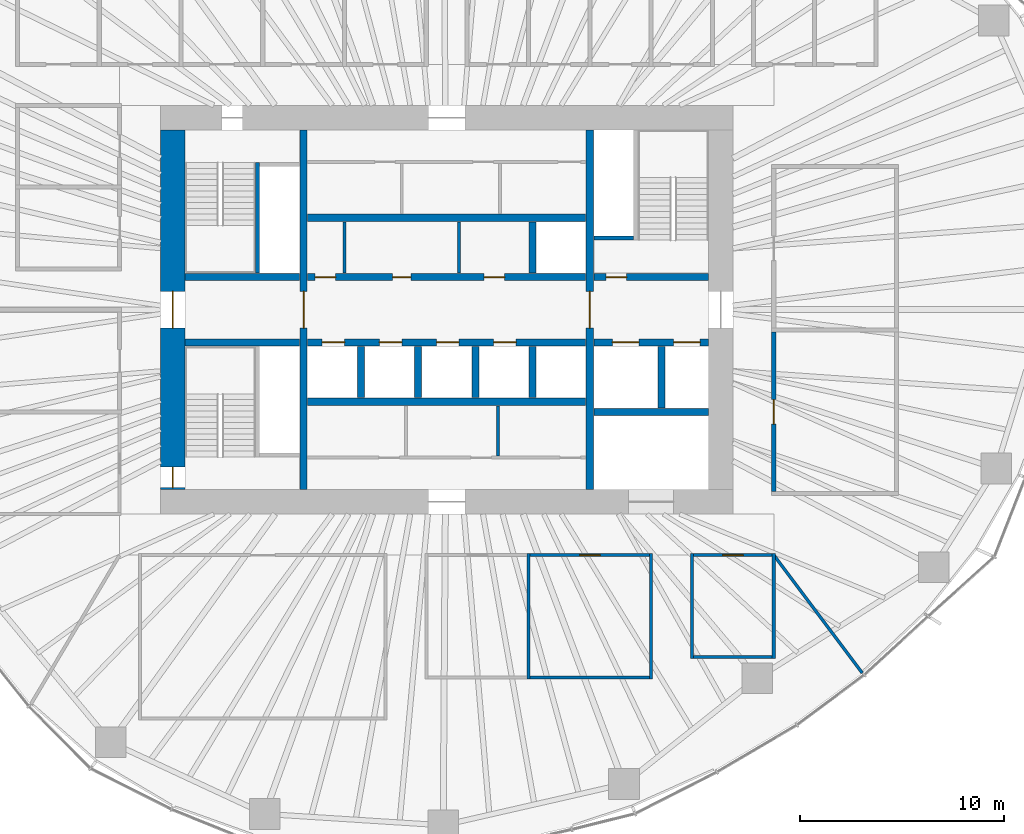
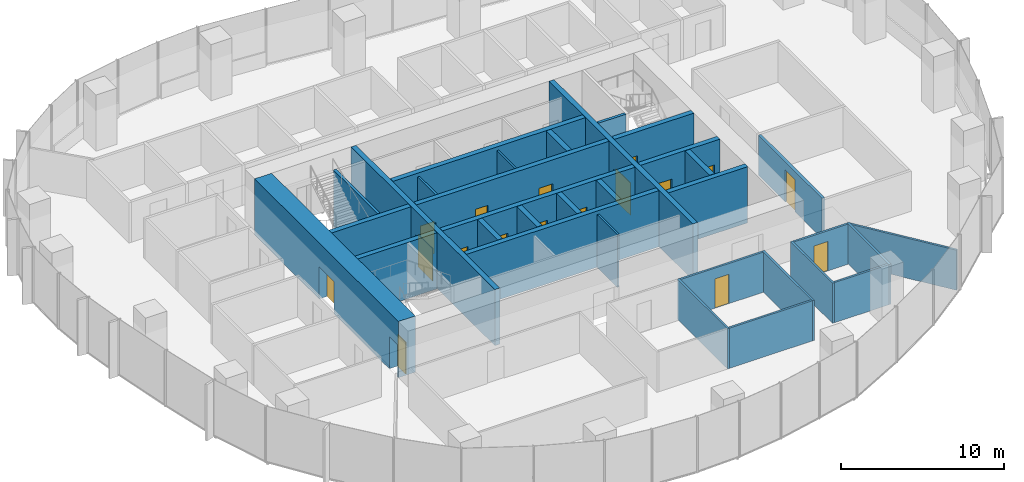
# One storey, part 9 of 18: 33 walls, 17 doors, 17 openings.
"""IFC4 building model written with IfcOpenShell, lengths in metres."""

from ifc_helpers import new_model, si_unit, direction, frame, frame_2d, origin, place, context, subcontext, project, spatial, rectangle, extrude, material, layer, layer_set, type_object, element, fill, save


model = new_model("IFC4")

# Units and contexts
model_context = context("Model", 3, precision=1e-05, world=origin(), true_north=direction((0.0, 1.0)))
body_context = subcontext(model_context, "Body", "Model", "MODEL_VIEW")
ifc_project = project(units=[si_unit("LENGTHUNIT", "METRE"), si_unit("AREAUNIT", "SQUARE_METRE"), si_unit("VOLUMEUNIT", "CUBIC_METRE"), si_unit("PLANEANGLEUNIT", "RADIAN"), si_unit("MASSUNIT", "GRAM", prefix="KILO")], contexts=[model_context])

# Site, building, storey
site_placement = place(None, origin())
site = spatial("IfcSite", under=ifc_project, at=site_placement, CompositionType="ELEMENT")
building_placement = place(site_placement, origin())
building = spatial("IfcBuilding", under=site, at=building_placement, Name="Ghaith Harvest Tower", CompositionType="ELEMENT")
storey_placement = place(building_placement, frame((0.0, 0.0, 142.800048828125)))
storey = spatial("IfcBuildingStorey", under=building, at=storey_placement, Name="L30", CompositionType="ELEMENT", Elevation=142.800048828125)

# Wall, opening, door
ifc_material_1 = material(Name="Twin-stud gypsum board, acoustic", Category="gypsum")
ifc_layer_1 = layer(ifc_material_1, 0.199951171875)
ifc_layer_set_1 = layer_set([ifc_layer_1], Name="ACOUSTIC PARTITION 200")
wall_type_1 = type_object("IfcWallType", Name="ACOUSTIC PARTITION 200", PredefinedType="PARTITIONING", material=ifc_layer_set_1)
wall_1_placement = place(storey_placement, frame((16.0, -8.89990234375, 0.0), z_axis=(0.0, 0.0, 1.0), x_axis=(0.0, 1.0, 0.0)))
wall_1 = element("IfcWall", 1, at=wall_1_placement, inside=storey, type_object=wall_type_1, Name="Partition L30-13", PredefinedType="PARTITIONING", context=body_context, shape_type="SweptSolid", body=[
    extrude(rectangle(XDim=7.7998046875, YDim=0.199951171875, at=frame_2d((3.89990234375, 0.0))), origin(), (0.0, 0.0, 1.0), 3.0),
])
opening_1_placement = place(wall_1_placement, frame((3.300048828125, 0.0, 0.0)))
opening_1 = element("IfcOpeningElement", 2, at=opening_1_placement, cuts=wall_1, Name="Opening 30-038", PredefinedType="OPENING", context=body_context, shape_type="SweptSolid", body=[
    extrude(rectangle(XDim=1.199951171875, YDim=2.39990234375, at=frame_2d((0.60009765625, 1.199951171875))), frame((0.0, 0.10986328125, 0.0), z_axis=(0.0, -1.0, 0.0), x_axis=(1.0, 0.0, 0.0)), (0.0, 0.0, 1.0), 0.219970703125),
])
ifc_material_2 = material(Name="Timber door", Category="wood")
door_type_1 = type_object("IfcDoorType", Name="D11 GLAZED 1200x2400", OperationType="SINGLE_SWING_LEFT", PredefinedType="DOOR", material=ifc_material_2)
door_1_placement = place(opening_1_placement, origin())
door_1 = element("IfcDoor", 3, at=door_1_placement, inside=storey, type_object=door_type_1, Name="Meeting room door", OperationType="SINGLE_SWING_LEFT", OverallHeight=2.39990234375, OverallWidth=1.199951171875, PredefinedType="DOOR", context=body_context, shape_type="SweptSolid", body=[
    extrude(rectangle(XDim=1.199951171875, YDim=2.39990234375, at=frame_2d((0.60009765625, 1.199951171875))), frame((0.0, 0.02490234375, 0.0), z_axis=(0.0, -1.0, 0.0), x_axis=(1.0, 0.0, 0.0)), (0.0, 0.0, 1.0), 0.050048828125),
])
fill(opening_1, door_1)

# Walls
ifc_material_3 = material(Name="Concrete blockwork, fair-faced", Category="masonry")
ifc_layer_2 = layer(ifc_material_3, 0.139892578125)
ifc_layer_set_2 = layer_set([ifc_layer_2], Name="CORE PARTITION 140")
wall_type_2 = type_object("IfcWallType", Name="CORE PARTITION 140", PredefinedType="PARTITIONING", material=ifc_layer_set_2)
wall_2_placement = place(storey_placement, frame((2.5, -4.699951171875, 0.0), z_axis=(0.0, 0.0, 1.0), x_axis=(0.0, -1.0, 0.0)))
element("IfcWall", 4, at=wall_2_placement, inside=storey, type_object=wall_type_2, Name="Core partition L30", PredefinedType="PARTITIONING", context=body_context, shape_type="SweptSolid", body=[
    extrude(rectangle(XDim=2.4599609375, YDim=0.139892578125, at=frame_2d((1.22998046875, 0.0))), origin(), (0.0, 0.0, 1.0), 3.949951171875),
])
for number, where, z_axis, x_axis, name in (
    (5, (-5.0, 1.800048828125, 0.0), (0.0, 0.0, 1.0), (0.0, 1.0, 0.0), "Core partition L30"),
    (6, (0.60009765625, 1.800048828125, 0.0), (0.0, 0.0, 1.0), (0.0, 1.0, 0.0), "Core partition L30"),
):
    element("IfcWall", number, at=place(storey_placement, frame(where, z_axis=z_axis, x_axis=x_axis)), inside=storey, type_object=wall_type_2, Name=name, PredefinedType="PARTITIONING", context=body_context, shape_type="SweptSolid", body=[
        extrude(rectangle(XDim=2.5, YDim=0.139892578125, at=frame_2d((1.25, 0.0))), origin(), (0.0, 0.0, 1.0), 3.949951171875),
    ])

# Wall, openings, doors
ifc_material_4 = material(Name="Concrete C60/75", Category="concrete")
ifc_layer_3 = layer(ifc_material_4, 1.199951171875)
ifc_layer_set_3 = layer_set([ifc_layer_3], Name="CORE WALL CW1200 C60")
wall_type_3 = type_object("IfcWallType", Name="CORE WALL CW1200 C60", PredefinedType="SHEAR", material=ifc_layer_set_3)
wall_3_placement = place(storey_placement, frame((-13.39990234375, 8.800048828125, 0.0), z_axis=(0.0, 0.0, 1.0), x_axis=(0.0, -1.0, 0.0)))
wall_3 = element("IfcWall", 7, at=wall_3_placement, inside=storey, type_object=wall_type_3, Name="Core wall W L30", PredefinedType="SHEAR", context=body_context, shape_type="SweptSolid", body=[
    extrude(rectangle(XDim=17.60009765625, YDim=1.199951171875, at=frame_2d((8.800048828125, 0.0))), origin(), (0.0, 0.0, 1.0), 4.199951171875),
])
opening_2_placement = place(wall_3_placement, frame((7.89990234375, 0.0, 0.0)))
opening_2 = element("IfcOpeningElement", 8, at=opening_2_placement, cuts=wall_3, Name="Opening 30-001", PredefinedType="OPENING", context=body_context, shape_type="SweptSolid", body=[
    extrude(rectangle(XDim=1.800048828125, YDim=2.39990234375, at=frame_2d((0.89990234375, 1.199951171875))), frame((0.0, 0.60986328125, 0.0), z_axis=(0.0, -1.0, 0.0), x_axis=(1.0, 0.0, 0.0)), (0.0, 0.0, 1.0), 1.219970703125),
])
opening_3_placement = place(wall_3_placement, frame((16.5, 0.0, 0.0)))
opening_3 = element("IfcOpeningElement", 9, at=opening_3_placement, cuts=wall_3, Name="Opening 30-006", PredefinedType="OPENING", context=body_context, shape_type="SweptSolid", body=[
    extrude(rectangle(XDim=1.0, YDim=2.39990234375, at=frame_2d((0.5, 1.199951171875))), frame((0.0, 0.60986328125, 0.0), z_axis=(0.0, -1.0, 0.0), x_axis=(1.0, 0.0, 0.0)), (0.0, 0.0, 1.0), 1.219970703125),
])
ifc_material_5 = material(Name="Steel fire door", Category="steel")
door_type_2 = type_object("IfcDoorType", Name="D3 FD90 1000x2400", OperationType="SINGLE_SWING_LEFT", PredefinedType="DOOR", material=ifc_material_5)
door_2_placement = place(opening_3_placement, origin())
door_2 = element("IfcDoor", 10, at=door_2_placement, inside=storey, type_object=door_type_2, Name="Stair ST3 door", OperationType="SINGLE_SWING_RIGHT", OverallHeight=2.39990234375, OverallWidth=1.0, PredefinedType="DOOR", context=body_context, shape_type="SweptSolid", body=[
    extrude(rectangle(XDim=1.0, YDim=2.39990234375, at=frame_2d((0.5, 1.199951171875))), frame((0.0, 0.02490234375, 0.0), z_axis=(0.0, -1.0, 0.0), x_axis=(1.0, 0.0, 0.0)), (0.0, 0.0, 1.0), 0.050048828125),
])
fill(opening_3, door_2)
ifc_material_6 = material(Name="Steel fire door", Category="steel")
door_type_3 = type_object("IfcDoorType", Name="D4 FD90 PAIR 1800x2400", OperationType="DOUBLE_DOOR_SINGLE_SWING", PredefinedType="DOOR", material=ifc_material_6)
door_3_placement = place(opening_2_placement, origin())
door_3 = element("IfcDoor", 11, at=door_3_placement, inside=storey, type_object=door_type_3, Name="West lobby doors", OperationType="DOUBLE_DOOR_SINGLE_SWING", OverallHeight=2.39990234375, OverallWidth=1.800048828125, PredefinedType="DOOR", context=body_context, shape_type="SweptSolid", body=[
    extrude(rectangle(XDim=1.800048828125, YDim=2.39990234375, at=frame_2d((0.89990234375, 1.199951171875))), frame((0.0, 0.02490234375, 0.0), z_axis=(0.0, -1.0, 0.0), x_axis=(1.0, 0.0, 0.0)), (0.0, 0.0, 1.0), 0.050048828125),
])
fill(opening_2, door_3)

# Walls
ifc_material_7 = material(Name="Gypsum board on steel studs", Category="steel")
ifc_layer_4 = layer(ifc_material_7, 0.14990234375)
ifc_layer_set_4 = layer_set([ifc_layer_4], Name="PARTITION 150")
wall_type_4 = type_object("IfcWallType", Name="PARTITION 150", PredefinedType="PARTITIONING", material=ifc_layer_set_4)
for number, where, z_axis, x_axis, name in (
    (12, (4.0, -11.925048828125, 0.0), (0.0, 0.0, 1.0), (0.0, -1.0, 0.0), "Partition L30 row S2 cross wall 2"),
    (13, (10.0, -11.925048828125, 0.0), (0.0, 0.0, 1.0), (0.0, -1.0, 0.0), "Partition L30 row S2 cross wall 3"),
):
    element("IfcWall", number, at=place(storey_placement, frame(where, z_axis=z_axis, x_axis=x_axis)), inside=storey, type_object=wall_type_4, Name=name, PredefinedType="PARTITIONING", context=body_context, shape_type="SweptSolid", body=[
        extrude(rectangle(XDim=6.14990234375, YDim=0.14990234375, at=frame_2d((3.074951171875, 0.0))), origin(), (0.0, 0.0, 1.0), 3.0),
    ])

# Wall, opening, door
wall_4_placement = place(storey_placement, frame((4.074951171875, -12.0, 0.0), z_axis=(0.0, 0.0, 1.0), x_axis=(1.0, 0.0, 0.0)))
wall_4 = element("IfcWall", 14, at=wall_4_placement, inside=storey, type_object=wall_type_4, Name="Partition L30-03", PredefinedType="PARTITIONING", context=body_context, shape_type="SweptSolid", body=[
    extrude(rectangle(XDim=5.85009765625, YDim=0.14990234375, at=frame_2d((2.925048828125, 0.0))), origin(), (0.0, 0.0, 1.0), 3.0),
])
opening_4_placement = place(wall_4_placement, frame((2.425048828125, 0.0, 0.0)))
opening_4 = element("IfcOpeningElement", 15, at=opening_4_placement, cuts=wall_4, Name="Opening 30-028", PredefinedType="OPENING", context=body_context, shape_type="SweptSolid", body=[
    extrude(rectangle(XDim=1.0, YDim=2.199951171875, at=frame_2d((0.5, 1.10009765625))), frame((0.0, 0.0849609375, 0.0), z_axis=(0.0, -1.0, 0.0), x_axis=(1.0, 0.0, 0.0)), (0.0, 0.0, 1.0), 0.169921875),
])
ifc_material_8 = material(Name="Timber door", Category="wood")
door_type_4 = type_object("IfcDoorType", Name="D1 SINGLE 1000x2200", OperationType="SINGLE_SWING_LEFT", PredefinedType="DOOR", material=ifc_material_8)
door_4_placement = place(opening_4_placement, origin())
door_4 = element("IfcDoor", 16, at=door_4_placement, inside=storey, type_object=door_type_4, Name="Pantry door", OperationType="SINGLE_SWING_LEFT", OverallHeight=2.199951171875, OverallWidth=1.0, PredefinedType="DOOR", context=body_context, shape_type="SweptSolid", body=[
    extrude(rectangle(XDim=1.0, YDim=2.199951171875, at=frame_2d((0.5, 1.10009765625))), frame((0.0, 0.02490234375, 0.0), z_axis=(0.0, -1.0, 0.0), x_axis=(1.0, 0.0, 0.0)), (0.0, 0.0, 1.0), 0.050048828125),
])
fill(opening_4, door_4)

# Walls
wall_5_placement = place(storey_placement, frame((4.074951171875, -18.0, 0.0), z_axis=(0.0, 0.0, 1.0), x_axis=(1.0, 0.0, 0.0)))
element("IfcWall", 17, at=wall_5_placement, inside=storey, type_object=wall_type_4, Name="Partition L30-03", PredefinedType="PARTITIONING", context=body_context, shape_type="SweptSolid", body=[
    extrude(rectangle(XDim=5.85009765625, YDim=0.14990234375, at=frame_2d((2.925048828125, 0.0))), origin(), (0.0, 0.0, 1.0), 3.0),
])
for number, where, z_axis, x_axis, name in (
    (18, (12.0, -11.925048828125, 0.0), (0.0, 0.0, 1.0), (0.0, -1.0, 0.0), "Partition L30 row S8 cross wall 1"),
    (19, (16.0, -11.925048828125, 0.0), (0.0, 0.0, 1.0), (0.0, -1.0, 0.0), "Partition L30 row S8 cross wall 2"),
):
    element("IfcWall", number, at=place(storey_placement, frame(where, z_axis=z_axis, x_axis=x_axis)), inside=storey, type_object=wall_type_4, Name=name, PredefinedType="PARTITIONING", context=body_context, shape_type="SweptSolid", body=[
        extrude(rectangle(XDim=5.14990234375, YDim=0.14990234375, at=frame_2d((2.574951171875, 0.0))), origin(), (0.0, 0.0, 1.0), 3.0),
    ])

# Wall, opening, door
wall_6_placement = place(storey_placement, frame((12.074951171875, -12.0, 0.0), z_axis=(0.0, 0.0, 1.0), x_axis=(1.0, 0.0, 0.0)))
wall_6 = element("IfcWall", 20, at=wall_6_placement, inside=storey, type_object=wall_type_4, Name="Partition L30-19", PredefinedType="PARTITIONING", context=body_context, shape_type="SweptSolid", body=[
    extrude(rectangle(XDim=3.85009765625, YDim=0.14990234375, at=frame_2d((1.925048828125, 0.0))), origin(), (0.0, 0.0, 1.0), 3.0),
])
opening_5_placement = place(wall_6_placement, frame((1.425048828125, 0.0, 0.0)))
opening_5 = element("IfcOpeningElement", 21, at=opening_5_placement, cuts=wall_6, Name="Opening 30-044", PredefinedType="OPENING", context=body_context, shape_type="SweptSolid", body=[
    extrude(rectangle(XDim=1.0, YDim=2.199951171875, at=frame_2d((0.5, 1.10009765625))), frame((0.0, 0.0849609375, 0.0), z_axis=(0.0, -1.0, 0.0), x_axis=(1.0, 0.0, 0.0)), (0.0, 0.0, 1.0), 0.169921875),
])
door_5_placement = place(opening_5_placement, origin())
door_5 = element("IfcDoor", 22, at=door_5_placement, inside=storey, type_object=door_type_4, Name="Store door", OperationType="SINGLE_SWING_LEFT", OverallHeight=2.199951171875, OverallWidth=1.0, PredefinedType="DOOR", context=body_context, shape_type="SweptSolid", body=[
    extrude(rectangle(XDim=1.0, YDim=2.199951171875, at=frame_2d((0.5, 1.10009765625))), frame((0.0, 0.02490234375, 0.0), z_axis=(0.0, -1.0, 0.0), x_axis=(1.0, 0.0, 0.0)), (0.0, 0.0, 1.0), 0.050048828125),
])
fill(opening_5, door_5)

# Walls
wall_7_placement = place(storey_placement, frame((12.074951171875, -17.0, 0.0), z_axis=(0.0, 0.0, 1.0), x_axis=(1.0, 0.0, 0.0)))
element("IfcWall", 23, at=wall_7_placement, inside=storey, type_object=wall_type_4, Name="Partition L30-19", PredefinedType="PARTITIONING", context=body_context, shape_type="SweptSolid", body=[
    extrude(rectangle(XDim=3.85009765625, YDim=0.14990234375, at=frame_2d((1.925048828125, 0.0))), origin(), (0.0, 0.0, 1.0), 3.0),
])
wall_8_placement = place(storey_placement, frame((16.02001953125, -12.026611328125, 0.0), z_axis=(0.0, 0.0, 1.0), x_axis=(0.600043534749, -0.799967347087, 0.0)))
element("IfcWall", 24, at=wall_8_placement, inside=storey, type_object=wall_type_4, Name="Partition L30 zone division", PredefinedType="PARTITIONING", context=body_context, shape_type="SweptSolid", body=[
    extrude(rectangle(XDim=7.177978515625, YDim=0.14990234375, at=frame_2d((3.5888671875, 0.0))), origin(), (0.0, 0.0, 1.0), 3.0),
])

# Wall, opening, door
ifc_material_9 = material(Name="Concrete C60/75", Category="concrete")
ifc_layer_5 = layer(ifc_material_9, 0.35009765625)
ifc_layer_set_5 = layer_set([ifc_layer_5], Name="SHAFT WALL 350")
wall_type_5 = type_object("IfcWallType", Name="SHAFT WALL 350", PredefinedType="SHEAR", material=ifc_layer_set_5)
wall_9_placement = place(storey_placement, frame((-7.0, -8.800048828125, 0.0), z_axis=(0.0, 0.0, 1.0), x_axis=(0.0, 1.0, 0.0)))
wall_9 = element("IfcWall", 25, at=wall_9_placement, inside=storey, type_object=wall_type_5, Name="Shaft wall W7W L30", PredefinedType="SHEAR", context=body_context, shape_type="SweptSolid", body=[
    extrude(rectangle(XDim=17.60009765625, YDim=0.35009765625, at=frame_2d((8.800048828125, 0.0))), origin(), (0.0, 0.0, 1.0), 4.199951171875),
])
opening_6_placement = place(wall_9_placement, frame((7.89990234375, 0.0, 0.0)))
opening_6 = element("IfcOpeningElement", 26, at=opening_6_placement, cuts=wall_9, Name="Opening 30-003", PredefinedType="OPENING", context=body_context, shape_type="SweptSolid", body=[
    extrude(rectangle(XDim=1.800048828125, YDim=2.39990234375, at=frame_2d((0.89990234375, 1.199951171875))), frame((0.0, 0.18505859375, 0.0), z_axis=(0.0, -1.0, 0.0), x_axis=(1.0, 0.0, 0.0)), (0.0, 0.0, 1.0), 0.3701171875),
])
door_6_placement = place(opening_6_placement, origin())
door_6 = element("IfcDoor", 27, at=door_6_placement, inside=storey, type_object=door_type_3, Name="Lift lobby doors, west", OperationType="DOUBLE_DOOR_SINGLE_SWING", OverallHeight=2.39990234375, OverallWidth=1.800048828125, PredefinedType="DOOR", context=body_context, shape_type="SweptSolid", body=[
    extrude(rectangle(XDim=1.800048828125, YDim=2.39990234375, at=frame_2d((0.89990234375, 1.199951171875))), frame((0.0, 0.02490234375, 0.0), z_axis=(0.0, -1.0, 0.0), x_axis=(1.0, 0.0, 0.0)), (0.0, 0.0, 1.0), 0.050048828125),
])
fill(opening_6, door_6)

wall_10_placement = place(storey_placement, frame((7.0, -8.800048828125, 0.0), z_axis=(0.0, 0.0, 1.0), x_axis=(0.0, 1.0, 0.0)))
wall_10 = element("IfcWall", 28, at=wall_10_placement, inside=storey, type_object=wall_type_5, Name="Shaft wall W7E L30", PredefinedType="SHEAR", context=body_context, shape_type="SweptSolid", body=[
    extrude(rectangle(XDim=17.60009765625, YDim=0.35009765625, at=frame_2d((8.800048828125, 0.0))), origin(), (0.0, 0.0, 1.0), 4.199951171875),
])
opening_7_placement = place(wall_10_placement, frame((7.89990234375, 0.0, 0.0)))
opening_7 = element("IfcOpeningElement", 29, at=opening_7_placement, cuts=wall_10, Name="Opening 30-004", PredefinedType="OPENING", context=body_context, shape_type="SweptSolid", body=[
    extrude(rectangle(XDim=1.800048828125, YDim=2.39990234375, at=frame_2d((0.89990234375, 1.199951171875))), frame((0.0, 0.18505859375, 0.0), z_axis=(0.0, -1.0, 0.0), x_axis=(1.0, 0.0, 0.0)), (0.0, 0.0, 1.0), 0.3701171875),
])
door_7_placement = place(opening_7_placement, origin())
door_7 = element("IfcDoor", 30, at=door_7_placement, inside=storey, type_object=door_type_3, Name="Lift lobby doors, east", OperationType="DOUBLE_DOOR_SINGLE_SWING", OverallHeight=2.39990234375, OverallWidth=1.800048828125, PredefinedType="DOOR", context=body_context, shape_type="SweptSolid", body=[
    extrude(rectangle(XDim=1.800048828125, YDim=2.39990234375, at=frame_2d((0.89990234375, 1.199951171875))), frame((0.0, 0.02490234375, 0.0), z_axis=(0.0, -1.0, 0.0), x_axis=(1.0, 0.0, 0.0)), (0.0, 0.0, 1.0), 0.050048828125),
])
fill(opening_7, door_7)

# Wall, openings, doors
wall_11_placement = place(storey_placement, frame((-6.800048828125, 1.60009765625, 0.0), z_axis=(0.0, 0.0, 1.0), x_axis=(1.0, 0.0, 0.0)))
wall_11 = element("IfcWall", 31, at=wall_11_placement, inside=storey, type_object=wall_type_5, Name="Shaft wall LN L30", PredefinedType="SHEAR", context=body_context, shape_type="SweptSolid", body=[
    extrude(rectangle(XDim=13.60009765625, YDim=0.35009765625, at=frame_2d((6.800048828125, 0.0))), origin(), (0.0, 0.0, 1.0), 4.199951171875),
])
opening_8_placement = place(wall_11_placement, frame((0.364990234375, 0.0, 0.0)))
opening_8 = element("IfcOpeningElement", 32, at=opening_8_placement, cuts=wall_11, Name="Opening 30-014", PredefinedType="OPENING", context=body_context, shape_type="SweptSolid", body=[
    extrude(rectangle(XDim=1.0, YDim=2.39990234375, at=frame_2d((0.5, 1.199951171875))), frame((0.0, 0.18505859375, 0.0), z_axis=(0.0, -1.0, 0.0), x_axis=(1.0, 0.0, 0.0)), (0.0, 0.0, 1.0), 0.3701171875),
])
opening_9_placement = place(wall_11_placement, frame((4.14990234375, 0.0, 0.0)))
opening_9 = element("IfcOpeningElement", 33, at=opening_9_placement, cuts=wall_11, Name="Opening 30-015", PredefinedType="OPENING", context=body_context, shape_type="SweptSolid", body=[
    extrude(rectangle(XDim=0.89990234375, YDim=2.39990234375, at=frame_2d((0.449951171875, 1.199951171875))), frame((0.0, 0.18505859375, 0.0), z_axis=(0.0, -1.0, 0.0), x_axis=(1.0, 0.0, 0.0)), (0.0, 0.0, 1.0), 0.3701171875),
])
opening_10_placement = place(wall_11_placement, frame((8.635009765625, 0.0, 0.0)))
opening_10 = element("IfcOpeningElement", 34, at=opening_10_placement, cuts=wall_11, Name="Opening 30-016", PredefinedType="OPENING", context=body_context, shape_type="SweptSolid", body=[
    extrude(rectangle(XDim=1.0, YDim=2.39990234375, at=frame_2d((0.5, 1.199951171875))), frame((0.0, 0.18505859375, 0.0), z_axis=(0.0, -1.0, 0.0), x_axis=(1.0, 0.0, 0.0)), (0.0, 0.0, 1.0), 0.3701171875),
])
door_8_placement = place(opening_8_placement, origin())
door_8 = element("IfcDoor", 35, at=door_8_placement, inside=storey, type_object=door_type_2, Name="Tea point door", OperationType="SINGLE_SWING_LEFT", OverallHeight=2.39990234375, OverallWidth=1.0, PredefinedType="DOOR", context=body_context, shape_type="SweptSolid", body=[
    extrude(rectangle(XDim=1.0, YDim=2.39990234375, at=frame_2d((0.5, 1.199951171875))), frame((0.0, 0.02490234375, 0.0), z_axis=(0.0, -1.0, 0.0), x_axis=(1.0, 0.0, 0.0)), (0.0, 0.0, 1.0), 0.050048828125),
])
fill(opening_8, door_8)
door_9_placement = place(opening_10_placement, origin())
door_9 = element("IfcDoor", 36, at=door_9_placement, inside=storey, type_object=door_type_2, Name="IT equipment room door", OperationType="SINGLE_SWING_RIGHT", OverallHeight=2.39990234375, OverallWidth=1.0, PredefinedType="DOOR", context=body_context, shape_type="SweptSolid", body=[
    extrude(rectangle(XDim=1.0, YDim=2.39990234375, at=frame_2d((0.5, 1.199951171875))), frame((0.0, 0.02490234375, 0.0), z_axis=(0.0, -1.0, 0.0), x_axis=(1.0, 0.0, 0.0)), (0.0, 0.0, 1.0), 0.050048828125),
])
fill(opening_10, door_9)
ifc_material_10 = material(Name="Steel fire door", Category="steel")
door_type_5 = type_object("IfcDoorType", Name="D5 FD90 900x2400", OperationType="SINGLE_SWING_LEFT", PredefinedType="DOOR", material=ifc_material_10)
door_10_placement = place(opening_9_placement, origin())
door_10 = element("IfcDoor", 37, at=door_10_placement, inside=storey, type_object=door_type_5, Name="Lobby store door", OperationType="SINGLE_SWING_LEFT", OverallHeight=2.39990234375, OverallWidth=0.89990234375, PredefinedType="DOOR", context=body_context, shape_type="SweptSolid", body=[
    extrude(rectangle(XDim=0.89990234375, YDim=2.39990234375, at=frame_2d((0.449951171875, 1.199951171875))), frame((0.0, 0.02490234375, 0.0), z_axis=(0.0, -1.0, 0.0), x_axis=(1.0, 0.0, 0.0)), (0.0, 0.0, 1.0), 0.050048828125),
])
fill(opening_9, door_10)

wall_12_placement = place(storey_placement, frame((-6.800048828125, -1.60009765625, 0.0), z_axis=(0.0, 0.0, 1.0), x_axis=(1.0, 0.0, 0.0)))
wall_12 = element("IfcWall", 38, at=wall_12_placement, inside=storey, type_object=wall_type_5, Name="Shaft wall LS L30", PredefinedType="SHEAR", context=body_context, shape_type="SweptSolid", body=[
    extrude(rectangle(XDim=13.60009765625, YDim=0.35009765625, at=frame_2d((6.800048828125, 0.0))), origin(), (0.0, 0.0, 1.0), 4.199951171875),
])
opening_11_placement = place(wall_12_placement, frame((0.699951171875, 0.0, 0.0)))
opening_11 = element("IfcOpeningElement", 39, at=opening_11_placement, cuts=wall_12, Name="Opening 30-019", PredefinedType="OPENING", context=body_context, shape_type="SweptSolid", body=[
    extrude(rectangle(XDim=1.10009765625, YDim=2.39990234375, at=frame_2d((0.550048828125, 1.199951171875))), frame((0.0, 0.18505859375, 0.0), z_axis=(0.0, -1.0, 0.0), x_axis=(1.0, 0.0, 0.0)), (0.0, 0.0, 1.0), 0.3701171875),
])
opening_12_placement = place(wall_12_placement, frame((3.5, 0.0, 0.0)))
opening_12 = element("IfcOpeningElement", 40, at=opening_12_placement, cuts=wall_12, Name="Opening 30-020", PredefinedType="OPENING", context=body_context, shape_type="SweptSolid", body=[
    extrude(rectangle(XDim=1.10009765625, YDim=2.39990234375, at=frame_2d((0.550048828125, 1.199951171875))), frame((0.0, 0.18505859375, 0.0), z_axis=(0.0, -1.0, 0.0), x_axis=(1.0, 0.0, 0.0)), (0.0, 0.0, 1.0), 0.3701171875),
])
opening_13_placement = place(wall_12_placement, frame((6.300048828125, 0.0, 0.0)))
opening_13 = element("IfcOpeningElement", 41, at=opening_13_placement, cuts=wall_12, Name="Opening 30-021", PredefinedType="OPENING", context=body_context, shape_type="SweptSolid", body=[
    extrude(rectangle(XDim=1.10009765625, YDim=2.39990234375, at=frame_2d((0.550048828125, 1.199951171875))), frame((0.0, 0.18505859375, 0.0), z_axis=(0.0, -1.0, 0.0), x_axis=(1.0, 0.0, 0.0)), (0.0, 0.0, 1.0), 0.3701171875),
])
opening_14_placement = place(wall_12_placement, frame((9.10009765625, 0.0, 0.0)))
opening_14 = element("IfcOpeningElement", 42, at=opening_14_placement, cuts=wall_12, Name="Opening 30-022", PredefinedType="OPENING", context=body_context, shape_type="SweptSolid", body=[
    extrude(rectangle(XDim=1.10009765625, YDim=2.39990234375, at=frame_2d((0.550048828125, 1.199951171875))), frame((0.0, 0.18505859375, 0.0), z_axis=(0.0, -1.0, 0.0), x_axis=(1.0, 0.0, 0.0)), (0.0, 0.0, 1.0), 0.3701171875),
])
ifc_material_11 = material(Name="Steel fire door", Category="steel")
door_type_6 = type_object("IfcDoorType", Name="LD1 LANDING 1100x2400", OperationType="DOUBLE_DOOR_SLIDING", PredefinedType="DOOR", material=ifc_material_11)
door_11_placement = place(opening_11_placement, origin())
door_11 = element("IfcDoor", 43, at=door_11_placement, inside=storey, type_object=door_type_6, Name="Landing door, lift LR1", OperationType="DOUBLE_DOOR_SLIDING", OverallHeight=2.39990234375, OverallWidth=1.10009765625, PredefinedType="DOOR", context=body_context, shape_type="SweptSolid", body=[
    extrude(rectangle(XDim=1.10009765625, YDim=2.39990234375, at=frame_2d((0.550048828125, 1.199951171875))), frame((0.0, 0.02490234375, 0.0), z_axis=(0.0, -1.0, 0.0), x_axis=(1.0, 0.0, 0.0)), (0.0, 0.0, 1.0), 0.050048828125),
])
fill(opening_11, door_11)
door_12_placement = place(opening_12_placement, origin())
door_12 = element("IfcDoor", 44, at=door_12_placement, inside=storey, type_object=door_type_6, Name="Landing door, lift LR2", OperationType="DOUBLE_DOOR_SLIDING", OverallHeight=2.39990234375, OverallWidth=1.10009765625, PredefinedType="DOOR", context=body_context, shape_type="SweptSolid", body=[
    extrude(rectangle(XDim=1.10009765625, YDim=2.39990234375, at=frame_2d((0.550048828125, 1.199951171875))), frame((0.0, 0.02490234375, 0.0), z_axis=(0.0, -1.0, 0.0), x_axis=(1.0, 0.0, 0.0)), (0.0, 0.0, 1.0), 0.050048828125),
])
fill(opening_12, door_12)
door_13_placement = place(opening_13_placement, origin())
door_13 = element("IfcDoor", 45, at=door_13_placement, inside=storey, type_object=door_type_6, Name="Landing door, lift LR3", OperationType="DOUBLE_DOOR_SLIDING", OverallHeight=2.39990234375, OverallWidth=1.10009765625, PredefinedType="DOOR", context=body_context, shape_type="SweptSolid", body=[
    extrude(rectangle(XDim=1.10009765625, YDim=2.39990234375, at=frame_2d((0.550048828125, 1.199951171875))), frame((0.0, 0.02490234375, 0.0), z_axis=(0.0, -1.0, 0.0), x_axis=(1.0, 0.0, 0.0)), (0.0, 0.0, 1.0), 0.050048828125),
])
fill(opening_13, door_13)
door_14_placement = place(opening_14_placement, origin())
door_14 = element("IfcDoor", 46, at=door_14_placement, inside=storey, type_object=door_type_6, Name="Landing door, lift LR4", OperationType="DOUBLE_DOOR_SLIDING", OverallHeight=2.39990234375, OverallWidth=1.10009765625, PredefinedType="DOOR", context=body_context, shape_type="SweptSolid", body=[
    extrude(rectangle(XDim=1.10009765625, YDim=2.39990234375, at=frame_2d((0.550048828125, 1.199951171875))), frame((0.0, 0.02490234375, 0.0), z_axis=(0.0, -1.0, 0.0), x_axis=(1.0, 0.0, 0.0)), (0.0, 0.0, 1.0), 0.050048828125),
])
fill(opening_14, door_14)

# Walls
for number, where, z_axis, x_axis, name in (
    (47, (-6.800048828125, 4.5, 0.0), (0.0, 0.0, 1.0), (1.0, 0.0, 0.0), "Shaft wall BN L30"),
    (48, (-6.800048828125, -4.5, 0.0), (0.0, 0.0, 1.0), (1.0, 0.0, 0.0), "Shaft wall BS L30"),
):
    element("IfcWall", number, at=place(storey_placement, frame(where, z_axis=z_axis, x_axis=x_axis)), inside=storey, type_object=wall_type_5, Name=name, PredefinedType="SHEAR", context=body_context, shape_type="SweptSolid", body=[
        extrude(rectangle(XDim=13.60009765625, YDim=0.35009765625, at=frame_2d((6.800048828125, 0.0))), origin(), (0.0, 0.0, 1.0), 4.199951171875),
    ])
for number, where, z_axis, x_axis, name in (
    (49, (-12.800048828125, 1.60009765625, 0.0), (0.0, 0.0, 1.0), (1.0, 0.0, 0.0), "Shaft wall WN L30"),
    (50, (-12.800048828125, -1.60009765625, 0.0), (0.0, 0.0, 1.0), (1.0, 0.0, 0.0), "Shaft wall WS L30"),
):
    element("IfcWall", number, at=place(storey_placement, frame(where, z_axis=z_axis, x_axis=x_axis)), inside=storey, type_object=wall_type_5, Name=name, PredefinedType="SHEAR", context=body_context, shape_type="SweptSolid", body=[
        extrude(rectangle(XDim=5.60009765625, YDim=0.35009765625, at=frame_2d((2.800048828125, 0.0))), origin(), (0.0, 0.0, 1.0), 4.199951171875),
    ])

# Wall, opening, door
wall_13_placement = place(storey_placement, frame((7.199951171875, 1.60009765625, 0.0), z_axis=(0.0, 0.0, 1.0), x_axis=(1.0, 0.0, 0.0)))
wall_13 = element("IfcWall", 51, at=wall_13_placement, inside=storey, type_object=wall_type_5, Name="Shaft wall EN L30", PredefinedType="SHEAR", context=body_context, shape_type="SweptSolid", body=[
    extrude(rectangle(XDim=5.60009765625, YDim=0.35009765625, at=frame_2d((2.800048828125, 0.0))), origin(), (0.0, 0.0, 1.0), 4.199951171875),
])
opening_15_placement = place(wall_13_placement, frame((0.60009765625, 0.0, 0.0)))
opening_15 = element("IfcOpeningElement", 52, at=opening_15_placement, cuts=wall_13, Name="Opening 30-007", PredefinedType="OPENING", context=body_context, shape_type="SweptSolid", body=[
    extrude(rectangle(XDim=1.0, YDim=2.39990234375, at=frame_2d((0.5, 1.199951171875))), frame((0.0, 0.18505859375, 0.0), z_axis=(0.0, -1.0, 0.0), x_axis=(1.0, 0.0, 0.0)), (0.0, 0.0, 1.0), 0.3701171875),
])
door_15_placement = place(opening_15_placement, origin())
door_15 = element("IfcDoor", 53, at=door_15_placement, inside=storey, type_object=door_type_2, Name="Stair ST2 door", OperationType="SINGLE_SWING_LEFT", OverallHeight=2.39990234375, OverallWidth=1.0, PredefinedType="DOOR", context=body_context, shape_type="SweptSolid", body=[
    extrude(rectangle(XDim=1.0, YDim=2.39990234375, at=frame_2d((0.5, 1.199951171875))), frame((0.0, 0.02490234375, 0.0), z_axis=(0.0, -1.0, 0.0), x_axis=(1.0, 0.0, 0.0)), (0.0, 0.0, 1.0), 0.050048828125),
])
fill(opening_15, door_15)

# Wall, openings, doors
wall_14_placement = place(storey_placement, frame((7.199951171875, -1.60009765625, 0.0), z_axis=(0.0, 0.0, 1.0), x_axis=(1.0, 0.0, 0.0)))
wall_14 = element("IfcWall", 54, at=wall_14_placement, inside=storey, type_object=wall_type_5, Name="Shaft wall ES L30", PredefinedType="SHEAR", context=body_context, shape_type="SweptSolid", body=[
    extrude(rectangle(XDim=5.60009765625, YDim=0.35009765625, at=frame_2d((2.800048828125, 0.0))), origin(), (0.0, 0.0, 1.0), 4.199951171875),
])
opening_16_placement = place(wall_14_placement, frame((0.89990234375, 0.0, 0.0)))
opening_16 = element("IfcOpeningElement", 55, at=opening_16_placement, cuts=wall_14, Name="Opening 30-023", PredefinedType="OPENING", context=body_context, shape_type="SweptSolid", body=[
    extrude(rectangle(XDim=1.300048828125, YDim=2.39990234375, at=frame_2d((0.64990234375, 1.199951171875))), frame((0.0, 0.18505859375, 0.0), z_axis=(0.0, -1.0, 0.0), x_axis=(1.0, 0.0, 0.0)), (0.0, 0.0, 1.0), 0.3701171875),
])
opening_17_placement = place(wall_14_placement, frame((3.89990234375, 0.0, 0.0)))
opening_17 = element("IfcOpeningElement", 56, at=opening_17_placement, cuts=wall_14, Name="Opening 30-024", PredefinedType="OPENING", context=body_context, shape_type="SweptSolid", body=[
    extrude(rectangle(XDim=1.300048828125, YDim=2.39990234375, at=frame_2d((0.64990234375, 1.199951171875))), frame((0.0, 0.18505859375, 0.0), z_axis=(0.0, -1.0, 0.0), x_axis=(1.0, 0.0, 0.0)), (0.0, 0.0, 1.0), 0.3701171875),
])
ifc_material_12 = material(Name="Steel fire door", Category="steel")
door_type_7 = type_object("IfcDoorType", Name="LD2 LANDING 1300x2400", OperationType="DOUBLE_DOOR_SLIDING", PredefinedType="DOOR", material=ifc_material_12)
door_16_placement = place(opening_16_placement, origin())
door_16 = element("IfcDoor", 57, at=door_16_placement, inside=storey, type_object=door_type_7, Name="Landing door, fire service lift FL1", OperationType="DOUBLE_DOOR_SLIDING", OverallHeight=2.39990234375, OverallWidth=1.300048828125, PredefinedType="DOOR", context=body_context, shape_type="SweptSolid", body=[
    extrude(rectangle(XDim=1.300048828125, YDim=2.39990234375, at=frame_2d((0.64990234375, 1.199951171875))), frame((0.0, 0.02490234375, 0.0), z_axis=(0.0, -1.0, 0.0), x_axis=(1.0, 0.0, 0.0)), (0.0, 0.0, 1.0), 0.050048828125),
])
fill(opening_16, door_16)
door_17_placement = place(opening_17_placement, origin())
door_17 = element("IfcDoor", 58, at=door_17_placement, inside=storey, type_object=door_type_7, Name="Landing door, fire service lift FL2", OperationType="DOUBLE_DOOR_SLIDING", OverallHeight=2.39990234375, OverallWidth=1.300048828125, PredefinedType="DOOR", context=body_context, shape_type="SweptSolid", body=[
    extrude(rectangle(XDim=1.300048828125, YDim=2.39990234375, at=frame_2d((0.64990234375, 1.199951171875))), frame((0.0, 0.02490234375, 0.0), z_axis=(0.0, -1.0, 0.0), x_axis=(1.0, 0.0, 0.0)), (0.0, 0.0, 1.0), 0.050048828125),
])
fill(opening_17, door_17)

# Walls
wall_15_placement = place(storey_placement, frame((10.5, -4.800048828125, 0.0), z_axis=(0.0, 0.0, 1.0), x_axis=(0.0, 1.0, 0.0)))
element("IfcWall", 59, at=wall_15_placement, inside=storey, type_object=wall_type_5, Name="Shaft wall FLD L30", PredefinedType="SHEAR", context=body_context, shape_type="SweptSolid", body=[
    extrude(rectangle(XDim=3.0, YDim=0.35009765625, at=frame_2d((1.5, 0.0))), origin(), (0.0, 0.0, 1.0), 4.199951171875),
])
wall_16_placement = place(storey_placement, frame((7.199951171875, -5.0, 0.0), z_axis=(0.0, 0.0, 1.0), x_axis=(1.0, 0.0, 0.0)))
element("IfcWall", 60, at=wall_16_placement, inside=storey, type_object=wall_type_5, Name="Shaft wall FLB L30", PredefinedType="SHEAR", context=body_context, shape_type="SweptSolid", body=[
    extrude(rectangle(XDim=5.60009765625, YDim=0.35009765625, at=frame_2d((2.800048828125, 0.0))), origin(), (0.0, 0.0, 1.0), 4.199951171875),
])
for number, where, z_axis, x_axis, name in (
    (61, (-4.199951171875, -4.300048828125, 0.0), (0.0, 0.0, 1.0), (0.0, 1.0, 0.0), "Shaft wall DS1 L30"),
    (62, (-1.39990234375, -4.300048828125, 0.0), (0.0, 0.0, 1.0), (0.0, 1.0, 0.0), "Shaft wall DS2 L30"),
    (63, (1.39990234375, -4.300048828125, 0.0), (0.0, 0.0, 1.0), (0.0, 1.0, 0.0), "Shaft wall DS3 L30"),
    (64, (4.199951171875, 1.800048828125, 0.0), (0.0, 0.0, 1.0), (0.0, 1.0, 0.0), "Shaft wall DN4 L30"),
    (65, (4.199951171875, -4.300048828125, 0.0), (0.0, 0.0, 1.0), (0.0, 1.0, 0.0), "Shaft wall DS4 L30"),
):
    element("IfcWall", number, at=place(storey_placement, frame(where, z_axis=z_axis, x_axis=x_axis)), inside=storey, type_object=wall_type_5, Name=name, PredefinedType="SHEAR", context=body_context, shape_type="SweptSolid", body=[
        extrude(rectangle(XDim=2.5, YDim=0.35009765625, at=frame_2d((1.25, 0.0))), origin(), (0.0, 0.0, 1.0), 4.199951171875),
    ])
ifc_material_13 = material(Name="Concrete C40/50", Category="concrete")
ifc_layer_6 = layer(ifc_material_13, 0.199951171875)
ifc_layer_set_6 = layer_set([ifc_layer_6], Name="STAIR SPINE WALL RC200")
wall_type_6 = type_object("IfcWallType", Name="STAIR SPINE WALL RC200", PredefinedType="SOLIDWALL", material=ifc_layer_set_6)
wall_17_placement = place(storey_placement, frame((-9.25, 7.199951171875, 0.0), z_axis=(0.0, 0.0, 1.0), x_axis=(0.0, -1.0, 0.0)))
element("IfcWall", 66, at=wall_17_placement, inside=storey, type_object=wall_type_6, Name="Stair ST1 spine wall L30", PredefinedType="SOLIDWALL", context=body_context, shape_type="SweptSolid", body=[
    extrude(rectangle(XDim=5.39990234375, YDim=0.199951171875, at=frame_2d((2.699951171875, 0.0))), origin(), (0.0, 0.0, 1.0), 4.199951171875),
])
wall_18_placement = place(storey_placement, frame((9.14990234375, 3.5, 0.0), z_axis=(0.0, 0.0, 1.0), x_axis=(-1.0, 0.0, 0.0)))
element("IfcWall", 67, at=wall_18_placement, inside=storey, type_object=wall_type_6, Name="Stair ST2 spine wall return L30", PredefinedType="SOLIDWALL", context=body_context, shape_type="SweptSolid", body=[
    extrude(rectangle(XDim=1.949951171875, YDim=0.199951171875, at=frame_2d((0.97509765625, 0.0))), origin(), (0.0, 0.0, 1.0), 4.199951171875),
])

save(model, "model.ifc")
